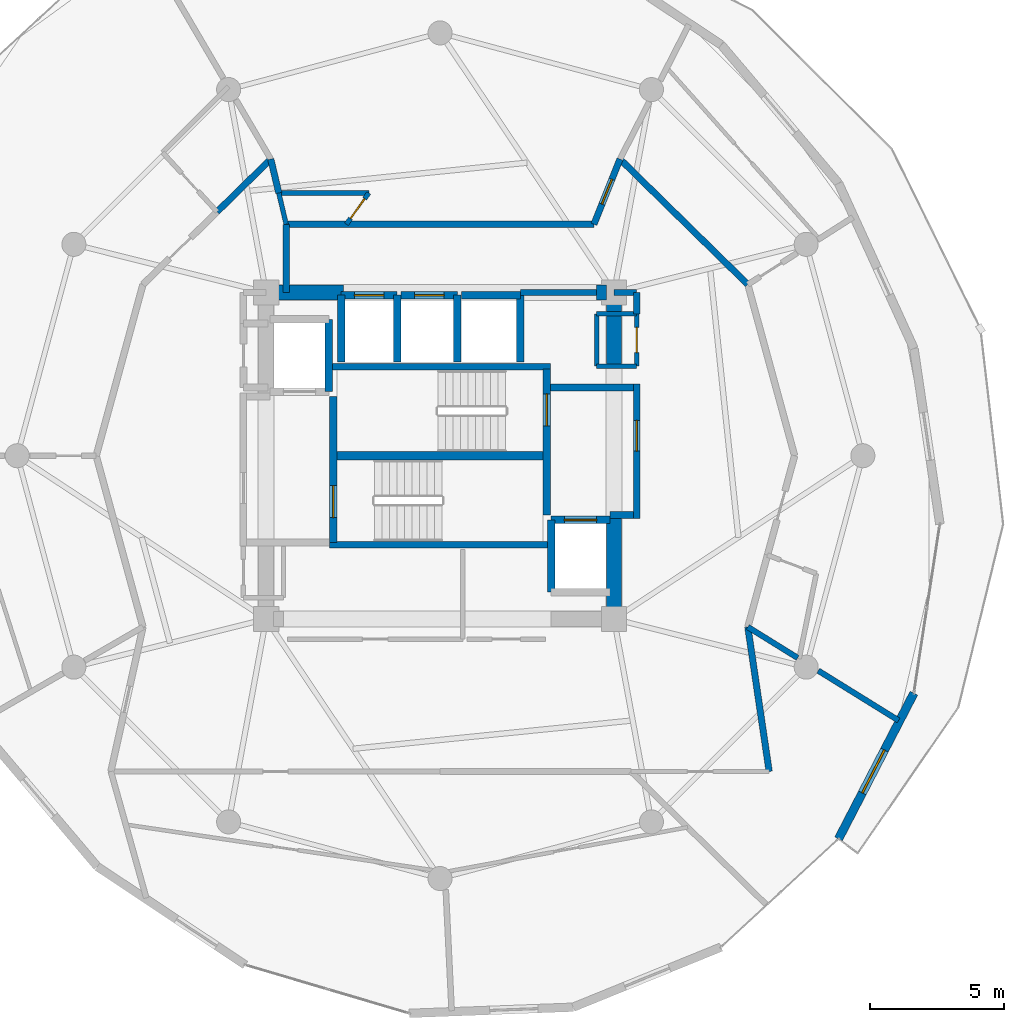
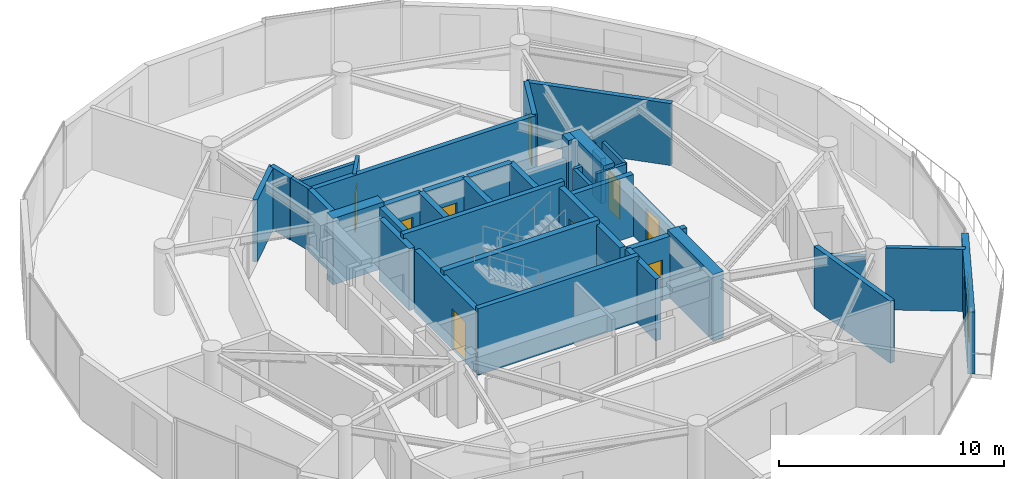
# One storey, part 20 of 24: 42 walls, 9 doors, 1 window, 10 openings.
"""IFC4 building model written with IfcOpenShell, lengths in metres."""

from ifc_helpers import new_model, si_unit, direction, frame, frame_2d, origin, place, context, subcontext, project, spatial, rectangle, extrude, material, layer, layer_set, type_object, element, fill, save


model = new_model("IFC4")

# Units and contexts
model_context = context("Model", 3, precision=1e-05, world=origin(), true_north=direction((0.0, 1.0)))
body_context = subcontext(model_context, "Body", "Model", "MODEL_VIEW")
ifc_project = project(units=[si_unit("LENGTHUNIT", "METRE"), si_unit("AREAUNIT", "SQUARE_METRE"), si_unit("VOLUMEUNIT", "CUBIC_METRE"), si_unit("PLANEANGLEUNIT", "RADIAN"), si_unit("MASSUNIT", "GRAM", prefix="KILO")], contexts=[model_context])

# Site, building, storey
site_placement = place(None, origin())
site = spatial("IfcSite", under=ifc_project, at=site_placement, CompositionType="ELEMENT")
building_placement = place(site_placement, origin())
building = spatial("IfcBuilding", under=site, at=building_placement, Name="Solvirekh Grand Hotel", CompositionType="ELEMENT")
storey_placement = place(building_placement, frame((0.0, 0.0, 184.0)))
storey = spatial("IfcBuildingStorey", under=building, at=storey_placement, Name="L47", CompositionType="ELEMENT", Elevation=184.0)

# Walls
ifc_material_1 = material(Name="Concrete C50/60", Category="concrete")
ifc_layer_1 = layer(ifc_material_1, 0.35009765625)
ifc_layer_set_1 = layer_set([ifc_layer_1], Name="Concrete C50/60")
wall_type_1 = type_object("IfcWallType", Name="CoreDivWall_RC350", PredefinedType="SOLIDWALL", material=ifc_layer_set_1)
for number, where, z_axis, x_axis, name in (
    (1, (-4.1298828125, -3.324951171875, 0.0), (0.0, 0.0, 1.0), (1.0, 0.0, 0.0), "L47 core stair box wall ST-S"),
    (2, (-4.1298828125, 3.324951171875, 0.0), (0.0, 0.0, 1.0), (1.0, 0.0, 0.0), "L47 core stair box wall ST-N"),
):
    element("IfcWall", number, at=place(storey_placement, frame(where, z_axis=z_axis, x_axis=x_axis)), inside=storey, type_object=wall_type_1, Name=name, PredefinedType="SOLIDWALL", context=body_context, shape_type="SweptSolid", body=[
        extrude(rectangle(XDim=8.259765625, YDim=0.25, at=frame_2d((4.1298828125, 0.0))), origin(), (0.0, 0.0, 1.0), 3.60009765625),
    ])

# Wall, opening, door
ifc_material_2 = material(Name="Concrete C40/50", Category="concrete")
ifc_layer_2 = layer(ifc_material_2, 0.280029296875)
ifc_layer_set_2 = layer_set([ifc_layer_2], Name="Concrete C40/50")
wall_type_2 = type_object("IfcWallType", Name="CoreShaftWall_RC280", PredefinedType="SOLIDWALL", material=ifc_layer_set_2)
wall_1_placement = place(storey_placement, frame((-1.60009765625, 6.0, 0.0), z_axis=(0.0, 0.0, 1.0), x_axis=(-1.0, 0.0, 0.0)))
wall_1 = element("IfcWall", 3, at=wall_1_placement, inside=storey, type_object=wall_type_2, Name="L47 HP-1 hoistway N wall", PredefinedType="SOLIDWALL", context=body_context, shape_type="SweptSolid", body=[
    extrude(rectangle(XDim=2.099853515625, YDim=0.280029296875, at=frame_2d((1.0498046875, 0.0))), origin(), (0.0, 0.0, 1.0), 3.360107421875),
])
opening_1_placement = place(wall_1_placement, frame((0.5, 0.0, 0.0)))
opening_1 = element("IfcOpeningElement", 4, at=opening_1_placement, cuts=wall_1, Name="Opening LD01", PredefinedType="OPENING", context=body_context, shape_type="SweptSolid", body=[
    extrude(rectangle(XDim=1.10009765625, YDim=2.199951171875, at=frame_2d((0.550048828125, 1.10009765625))), frame((0.0, 0.14990234375, 0.0), z_axis=(0.0, -1.0, 0.0), x_axis=(1.0, 0.0, 0.0)), (0.0, 0.0, 1.0), 0.300048828125),
])
ifc_material_3 = material(Name="Fire-Rated Steel Door Assembly", Category="steel")
door_type_1 = type_object("IfcDoorType", Name="Door_LiftLanding_1100X2200", OperationType="SLIDING_TO_LEFT", PredefinedType="DOOR", material=ifc_material_3)
door_1_placement = place(opening_1_placement, origin())
door_1 = element("IfcDoor", 5, at=door_1_placement, inside=storey, type_object=door_type_1, Name="L47 HP-1 sliding lift landing door", OperationType="SLIDING_TO_LEFT", OverallHeight=2.199951171875, OverallWidth=1.10009765625, PredefinedType="DOOR", context=body_context, shape_type="SweptSolid", body=[
    extrude(rectangle(XDim=1.10009765625, YDim=2.199951171875, at=frame_2d((0.550048828125, 1.10009765625))), frame((0.0, 0.02490234375, 0.0), z_axis=(0.0, -1.0, 0.0), x_axis=(1.0, 0.0, 0.0)), (0.0, 0.0, 1.0), 0.050048828125),
])
fill(opening_1, door_1)

# Walls
for number, where, z_axis, x_axis, name in (
    (6, (-3.699951171875, 6.0, 0.0), (0.0, 0.0, 1.0), (0.0, -1.0, 0.0), "L47 HP-1 hoistway W wall"),
    (7, (-1.60009765625, 3.5, 0.0), (0.0, 0.0, 1.0), (0.0, 1.0, 0.0), "L47 HP-1 hoistway E wall"),
):
    element("IfcWall", number, at=place(storey_placement, frame(where, z_axis=z_axis, x_axis=x_axis)), inside=storey, type_object=wall_type_2, Name=name, PredefinedType="SOLIDWALL", context=body_context, shape_type="SweptSolid", body=[
        extrude(rectangle(XDim=2.5, YDim=0.280029296875, at=frame_2d((1.25, 0.0))), origin(), (0.0, 0.0, 1.0), 3.360107421875),
    ])

# Wall, opening, door
wall_2_placement = place(storey_placement, frame((0.64990234375, 6.0, 0.0), z_axis=(0.0, 0.0, 1.0), x_axis=(-1.0, 0.0, 0.0)))
wall_2 = element("IfcWall", 8, at=wall_2_placement, inside=storey, type_object=wall_type_2, Name="L47 HP-2 hoistway N wall", PredefinedType="SOLIDWALL", context=body_context, shape_type="SweptSolid", body=[
    extrude(rectangle(XDim=2.099853515625, YDim=0.280029296875, at=frame_2d((1.0498046875, 0.0))), origin(), (0.0, 0.0, 1.0), 3.360107421875),
])
opening_2_placement = place(wall_2_placement, frame((0.5, 0.0, 0.0)))
opening_2 = element("IfcOpeningElement", 9, at=opening_2_placement, cuts=wall_2, Name="Opening LD01", PredefinedType="OPENING", context=body_context, shape_type="SweptSolid", body=[
    extrude(rectangle(XDim=1.10009765625, YDim=2.199951171875, at=frame_2d((0.550048828125, 1.10009765625))), frame((0.0, 0.14990234375, 0.0), z_axis=(0.0, -1.0, 0.0), x_axis=(1.0, 0.0, 0.0)), (0.0, 0.0, 1.0), 0.300048828125),
])
door_2_placement = place(opening_2_placement, origin())
door_2 = element("IfcDoor", 10, at=door_2_placement, inside=storey, type_object=door_type_1, Name="L47 HP-2 sliding lift landing door", OperationType="SLIDING_TO_LEFT", OverallHeight=2.199951171875, OverallWidth=1.10009765625, PredefinedType="DOOR", context=body_context, shape_type="SweptSolid", body=[
    extrude(rectangle(XDim=1.10009765625, YDim=2.199951171875, at=frame_2d((0.550048828125, 1.10009765625))), frame((0.0, 0.02490234375, 0.0), z_axis=(0.0, -1.0, 0.0), x_axis=(1.0, 0.0, 0.0)), (0.0, 0.0, 1.0), 0.050048828125),
])
fill(opening_2, door_2)

# Walls
wall_3_placement = place(storey_placement, frame((0.64990234375, 3.5, 0.0), z_axis=(0.0, 0.0, 1.0), x_axis=(0.0, 1.0, 0.0)))
element("IfcWall", 11, at=wall_3_placement, inside=storey, type_object=wall_type_2, Name="L47 HP-2 hoistway E wall", PredefinedType="SOLIDWALL", context=body_context, shape_type="SweptSolid", body=[
    extrude(rectangle(XDim=2.5, YDim=0.280029296875, at=frame_2d((1.25, 0.0))), origin(), (0.0, 0.0, 1.0), 3.360107421875),
])
wall_4_placement = place(storey_placement, frame((3.0, 6.0, 0.0), z_axis=(0.0, 0.0, 1.0), x_axis=(-1.0, 0.0, 0.0)))
element("IfcWall", 12, at=wall_4_placement, inside=storey, type_object=wall_type_2, Name="L47 EX-1 hoistway N wall", PredefinedType="SOLIDWALL", context=body_context, shape_type="SweptSolid", body=[
    extrude(rectangle(XDim=2.199951171875, YDim=0.280029296875, at=frame_2d((1.10009765625, 0.0))), origin(), (0.0, 0.0, 1.0), 3.360107421875),
])
wall_5_placement = place(storey_placement, frame((3.0, 3.5, 0.0), z_axis=(0.0, 0.0, 1.0), x_axis=(0.0, 1.0, 0.0)))
element("IfcWall", 13, at=wall_5_placement, inside=storey, type_object=wall_type_2, Name="L47 EX-1 hoistway E wall", PredefinedType="SOLIDWALL", context=body_context, shape_type="SweptSolid", body=[
    extrude(rectangle(XDim=2.5, YDim=0.280029296875, at=frame_2d((1.25, 0.0))), origin(), (0.0, 0.0, 1.0), 3.360107421875),
])
wall_6_placement = place(storey_placement, frame((-4.14990234375, 2.39990234375, 0.0), z_axis=(0.0, 0.0, 1.0), x_axis=(0.0, 1.0, 0.0)))
element("IfcWall", 14, at=wall_6_placement, inside=storey, type_object=wall_type_2, Name="L47 FL-1 hoistway E wall", PredefinedType="SOLIDWALL", context=body_context, shape_type="SweptSolid", body=[
    extrude(rectangle(XDim=2.7001953125, YDim=0.280029296875, at=frame_2d((1.35009765625, 0.0))), origin(), (0.0, 0.0, 1.0), 3.360107421875),
])

# Wall, opening, door
wall_7_placement = place(storey_placement, frame((6.35009765625, -2.39990234375, 0.0), z_axis=(0.0, 0.0, 1.0), x_axis=(-1.0, 0.0, 0.0)))
wall_7 = element("IfcWall", 15, at=wall_7_placement, inside=storey, type_object=wall_type_2, Name="L47 FL-2 hoistway N wall", PredefinedType="SOLIDWALL", context=body_context, shape_type="SweptSolid", body=[
    extrude(rectangle(XDim=2.2001953125, YDim=0.280029296875, at=frame_2d((1.10009765625, 0.0))), origin(), (0.0, 0.0, 1.0), 3.360107421875),
])
opening_3_placement = place(wall_7_placement, frame((0.5, 0.0, 0.0)))
opening_3 = element("IfcOpeningElement", 16, at=opening_3_placement, cuts=wall_7, Name="Opening LD02", PredefinedType="OPENING", context=body_context, shape_type="SweptSolid", body=[
    extrude(rectangle(XDim=1.199951171875, YDim=2.199951171875, at=frame_2d((0.60009765625, 1.10009765625))), frame((0.0, 0.14990234375, 0.0), z_axis=(0.0, -1.0, 0.0), x_axis=(1.0, 0.0, 0.0)), (0.0, 0.0, 1.0), 0.300048828125),
])
door_type_2 = type_object("IfcDoorType", Name="Door_LiftFF_1200X2200", OperationType="SLIDING_TO_LEFT", PredefinedType="DOOR", material=ifc_material_3)
door_3_placement = place(opening_3_placement, origin())
door_3 = element("IfcDoor", 17, at=door_3_placement, inside=storey, type_object=door_type_2, Name="L47 FL-2 sliding lift landing door", OperationType="SLIDING_TO_LEFT", OverallHeight=2.199951171875, OverallWidth=1.199951171875, PredefinedType="DOOR", context=body_context, shape_type="SweptSolid", body=[
    extrude(rectangle(XDim=1.199951171875, YDim=2.199951171875, at=frame_2d((0.60009765625, 1.10009765625))), frame((0.0, 0.02490234375, 0.0), z_axis=(0.0, -1.0, 0.0), x_axis=(1.0, 0.0, 0.0)), (0.0, 0.0, 1.0), 0.050048828125),
])
fill(opening_3, door_3)

# Wall
wall_8_placement = place(storey_placement, frame((4.14990234375, -2.39990234375, 0.0), z_axis=(0.0, 0.0, 1.0), x_axis=(0.0, -1.0, 0.0)))
element("IfcWall", 18, at=wall_8_placement, inside=storey, type_object=wall_type_2, Name="L47 FL-2 hoistway W wall", PredefinedType="SOLIDWALL", context=body_context, shape_type="SweptSolid", body=[
    extrude(rectangle(XDim=2.7001953125, YDim=0.280029296875, at=frame_2d((1.35009765625, 0.0))), origin(), (0.0, 0.0, 1.0), 3.360107421875),
])

# Wall, opening, door
wall_9_placement = place(storey_placement, frame((-3.989990234375, -3.25, 0.0), z_axis=(0.0, 0.0, 1.0), x_axis=(0.0, 1.0, 0.0)))
wall_9 = element("IfcWall", 19, at=wall_9_placement, inside=storey, type_object=wall_type_2, Name="L47 west stair landing enclosure wall", PredefinedType="SOLIDWALL", context=body_context, shape_type="SweptSolid", body=[
    extrude(rectangle(XDim=5.4599609375, YDim=0.280029296875, at=frame_2d((2.72998046875, 0.0))), origin(), (0.0, 0.0, 1.0), 3.360107421875),
])
opening_4_placement = place(wall_9_placement, frame((0.93701171875, 0.0, 0.0)))
opening_4 = element("IfcOpeningElement", 20, at=opening_4_placement, cuts=wall_9, Name="Opening D05", PredefinedType="OPENING", context=body_context, shape_type="SweptSolid", body=[
    extrude(rectangle(XDim=1.199951171875, YDim=2.199951171875, at=frame_2d((0.60009765625, 1.10009765625))), frame((0.0, 0.14990234375, 0.0), z_axis=(0.0, -1.0, 0.0), x_axis=(1.0, 0.0, 0.0)), (0.0, 0.0, 1.0), 0.300048828125),
])
door_type_3 = type_object("IfcDoorType", Name="Door_StairCore_1200X2200", OperationType="NOTDEFINED", PredefinedType="DOOR", material=ifc_material_3)
door_4_placement = place(opening_4_placement, origin())
door_4 = element("IfcDoor", 21, at=door_4_placement, inside=storey, type_object=door_type_3, Name="L47 exit stair ST-1 fire door", OperationType="SINGLE_SWING_RIGHT", OverallHeight=2.199951171875, OverallWidth=1.199951171875, PredefinedType="DOOR", context=body_context, shape_type="SweptSolid", body=[
    extrude(rectangle(XDim=1.199951171875, YDim=2.199951171875, at=frame_2d((0.60009765625, 1.10009765625))), frame((0.0, 0.02490234375, 0.0), z_axis=(0.0, -1.0, 0.0), x_axis=(1.0, 0.0, 0.0)), (0.0, 0.0, 1.0), 0.050048828125),
])
fill(opening_4, door_4)

wall_10_placement = place(storey_placement, frame((3.989990234375, -2.2099609375, 0.0), z_axis=(0.0, 0.0, 1.0), x_axis=(0.0, 1.0, 0.0)))
wall_10 = element("IfcWall", 22, at=wall_10_placement, inside=storey, type_object=wall_type_2, Name="L47 east stair landing enclosure wall", PredefinedType="SOLIDWALL", context=body_context, shape_type="SweptSolid", body=[
    extrude(rectangle(XDim=5.4599609375, YDim=0.280029296875, at=frame_2d((2.72998046875, 0.0))), origin(), (0.0, 0.0, 1.0), 3.360107421875),
])
opening_5_placement = place(wall_10_placement, frame((3.322998046875, 0.0, 0.0)))
opening_5 = element("IfcOpeningElement", 23, at=opening_5_placement, cuts=wall_10, Name="Opening D05", PredefinedType="OPENING", context=body_context, shape_type="SweptSolid", body=[
    extrude(rectangle(XDim=1.199951171875, YDim=2.199951171875, at=frame_2d((0.60009765625, 1.10009765625))), frame((0.0, 0.14990234375, 0.0), z_axis=(0.0, -1.0, 0.0), x_axis=(1.0, 0.0, 0.0)), (0.0, 0.0, 1.0), 0.300048828125),
])
door_5_placement = place(opening_5_placement, origin())
door_5 = element("IfcDoor", 24, at=door_5_placement, inside=storey, type_object=door_type_3, Name="L47 exit stair ST-2 fire door", OperationType="SINGLE_SWING_LEFT", OverallHeight=2.199951171875, OverallWidth=1.199951171875, PredefinedType="DOOR", context=body_context, shape_type="SweptSolid", body=[
    extrude(rectangle(XDim=1.199951171875, YDim=2.199951171875, at=frame_2d((0.60009765625, 1.10009765625))), frame((0.0, 0.02490234375, 0.0), z_axis=(0.0, -1.0, 0.0), x_axis=(1.0, 0.0, 0.0)), (0.0, 0.0, 1.0), 0.050048828125),
])
fill(opening_5, door_5)

# Walls
ifc_layer_3 = layer(ifc_material_1, 0.550048828125)
ifc_layer_set_3 = layer_set([ifc_layer_3], Name="Concrete C50/60")
wall_type_3 = type_object("IfcWallType", Name="CoreWall_RC550", PredefinedType="SHEAR", material=ifc_layer_set_3)
wall_11_placement = place(storey_placement, frame((-3.989990234375, 0.0, 0.0), z_axis=(0.0, 0.0, 1.0), x_axis=(1.0, 0.0, 0.0)))
element("IfcWall", 25, at=wall_11_placement, inside=storey, type_object=wall_type_3, Name="L47 central stair-spine shear wall", PredefinedType="SHEAR", context=body_context, shape_type="SweptSolid", body=[
    extrude(rectangle(XDim=7.97998046875, YDim=0.300048828125, at=frame_2d((3.989990234375, 0.0))), origin(), (0.0, 0.0, 1.0), 3.60009765625),
])
wall_12_placement = place(storey_placement, frame((-6.22509765625, 6.10009765625, 0.0), z_axis=(0.0, 0.0, 1.0), x_axis=(1.0, 0.0, 0.0)))
element("IfcWall", 26, at=wall_12_placement, inside=storey, type_object=wall_type_3, Name="L47 core corner shear wall NW-N", PredefinedType="SHEAR", context=body_context, shape_type="SweptSolid", body=[
    extrude(rectangle(XDim=2.625, YDim=0.550048828125, at=frame_2d((1.3125, 0.0))), origin(), (0.0, 0.0, 1.0), 3.60009765625),
])
wall_13_placement = place(storey_placement, frame((5.85009765625, 6.10009765625, 0.0), z_axis=(0.0, 0.0, 1.0), x_axis=(1.0, 0.0, 0.0)))
element("IfcWall", 27, at=wall_13_placement, inside=storey, type_object=wall_type_3, Name="L47 core corner shear wall NE-N", PredefinedType="SHEAR", context=body_context, shape_type="SweptSolid", body=[
    extrude(rectangle(XDim=0.375, YDim=0.550048828125, at=frame_2d((0.1875, 0.0))), origin(), (0.0, 0.0, 1.0), 3.60009765625),
])
wall_14_placement = place(storey_placement, frame((6.5, -6.375, 0.0), z_axis=(0.0, 0.0, 1.0), x_axis=(0.0, 1.0, 0.0)))
element("IfcWall", 28, at=wall_14_placement, inside=storey, type_object=wall_type_3, Name="L47 core corner shear wall ES-E", PredefinedType="SHEAR", context=body_context, shape_type="SweptSolid", body=[
    extrude(rectangle(XDim=4.02490234375, YDim=0.550048828125, at=frame_2d((2.012451171875, 0.0))), origin(), (0.0, 0.0, 1.0), 3.60009765625),
])
wall_15_placement = place(storey_placement, frame((6.5, 3.35009765625, 0.0), z_axis=(0.0, 0.0, 1.0), x_axis=(0.0, 1.0, 0.0)))
element("IfcWall", 29, at=wall_15_placement, inside=storey, type_object=wall_type_3, Name="L47 core corner shear wall EN-E", PredefinedType="SHEAR", context=body_context, shape_type="SweptSolid", body=[
    extrude(rectangle(XDim=3.02490234375, YDim=0.550048828125, at=frame_2d((1.512451171875, 0.0))), origin(), (0.0, 0.0, 1.0), 3.60009765625),
])

# Wall, opening, window
ifc_material_4 = material(Name="Precast concrete C45/55", Category="concrete")
ifc_layer_4 = layer(ifc_material_4, 0.320068359375)
ifc_layer_set_4 = layer_set([ifc_layer_4], Name="Precast concrete C45/55")
wall_type_4 = type_object("IfcWallType", Name="ExtLobbyWall_RC320", PredefinedType="SOLIDWALL", material=ifc_layer_set_4)
wall_16_placement = place(storey_placement, frame((17.7080078125, -8.873046875, 0.0), z_axis=(0.0, 0.0, 1.0), x_axis=(-0.459419669187, -0.888219324021, 0.0)))
wall_16 = element("IfcWall", 30, at=wall_16_placement, inside=storey, type_object=wall_type_4, Name="L47 exterior structural wall chord 2", PredefinedType="SOLIDWALL", context=body_context, shape_type="SweptSolid", body=[
    extrude(rectangle(XDim=6.13134765625, YDim=0.320068359375, at=frame_2d((3.065673828125, 0.0))), origin(), (0.0, 0.0, 1.0), 3.360107421875),
])
opening_6_placement = place(wall_16_placement, frame((2.39501953125, 0.0, 0.35009765625)))
opening_6 = element("IfcOpeningElement", 31, at=opening_6_placement, cuts=wall_16, Name="Opening W02", PredefinedType="OPENING", context=body_context, shape_type="SweptSolid", body=[
    extrude(rectangle(XDim=1.800048828125, YDim=2.60009765625, at=frame_2d((0.89990234375, 1.300048828125))), frame((0.0, 0.169921875, 0.0), z_axis=(0.0, -1.0, 0.0), x_axis=(1.0, 0.0, 0.0)), (0.0, 0.0, 1.0), 0.340087890625),
])
ifc_material_5 = material(Name="Low-E Tinted Bronze Laminated Glass", Category="aluminium")
window_type = type_object("IfcWindowType", Name="Win_LobbyExt_1800X2600", PartitioningType="SINGLE_PANEL", PredefinedType="WINDOW", material=ifc_material_5)
window_placement = place(opening_6_placement, origin())
window = element("IfcWindow", 32, at=window_placement, inside=storey, type_object=window_type, Name="L47 panoramic bronze-framed window 2", OverallHeight=2.60009765625, OverallWidth=1.800048828125, PartitioningType="SINGLE_PANEL", PredefinedType="WINDOW", context=body_context, shape_type="SweptSolid", body=[
    extrude(rectangle(XDim=1.800048828125, YDim=2.60009765625, at=frame_2d((0.89990234375, 1.300048828125))), frame((0.0, 0.030029296875, 0.0), z_axis=(0.0, -1.0, 0.0), x_axis=(1.0, 0.0, 0.0)), (0.0, 0.0, 1.0), 0.06005859375),
])
fill(opening_6, window)

# Wall
ifc_material_6 = material(Name="Acoustic Gypsum Partition Assembly")
ifc_layer_5 = layer(ifc_material_6, 0.1650390625)
ifc_layer_set_5 = layer_set([ifc_layer_5], Name="Acoustic Gypsum Partition Assembly")
wall_type_5 = type_object("IfcWallType", Name="Part_BOH_165", PredefinedType="PARTITIONING", material=ifc_layer_set_5)
wall_17_placement = place(storey_placement, frame((5.85009765625, 3.35009765625, 0.0), z_axis=(0.0, 0.0, 1.0), x_axis=(1.0, 0.0, 0.0)))
element("IfcWall", 33, at=wall_17_placement, inside=storey, type_object=wall_type_5, Name="L47 L47 Core Housekeeping Room wall 1", PredefinedType="PARTITIONING", context=body_context, shape_type="SweptSolid", body=[
    extrude(rectangle(XDim=1.5, YDim=0.1650390625, at=frame_2d((0.75, 0.0))), origin(), (0.0, 0.0, 1.0), 3.360107421875),
])

# Wall, opening, door
wall_18_placement = place(storey_placement, frame((7.35009765625, 3.35009765625, 0.0), z_axis=(0.0, 0.0, 1.0), x_axis=(0.0, 1.0, 0.0)))
wall_18 = element("IfcWall", 34, at=wall_18_placement, inside=storey, type_object=wall_type_5, Name="L47 L47 Core Housekeeping Room wall 2", PredefinedType="PARTITIONING", context=body_context, shape_type="SweptSolid", body=[
    extrude(rectangle(XDim=1.949951171875, YDim=0.1650390625, at=frame_2d((0.97509765625, 0.0))), origin(), (0.0, 0.0, 1.0), 3.360107421875),
])
opening_7_placement = place(wall_18_placement, frame((0.5, 0.0, 0.0)))
opening_7 = element("IfcOpeningElement", 35, at=opening_7_placement, cuts=wall_18, Name="Opening D10", PredefinedType="OPENING", context=body_context, shape_type="SweptSolid", body=[
    extrude(rectangle(XDim=0.949951171875, YDim=2.10009765625, at=frame_2d((0.47509765625, 1.050048828125))), frame((0.0, 0.092529296875, 0.0), z_axis=(0.0, -1.0, 0.0), x_axis=(1.0, 0.0, 0.0)), (0.0, 0.0, 1.0), 0.18505859375),
])
ifc_material_7 = material(Name="Anodized Bronze Aluminium 6063-T6", Category="aluminium")
door_type_4 = type_object("IfcDoorType", Name="Door_RoomInt_950X2100", OperationType="NOTDEFINED", PredefinedType="DOOR", material=ifc_material_7)
door_6_placement = place(opening_7_placement, origin())
door_6 = element("IfcDoor", 36, at=door_6_placement, inside=storey, type_object=door_type_4, Name="L47 L47 Core Housekeeping Room door", OperationType="SINGLE_SWING_RIGHT", OverallHeight=2.10009765625, OverallWidth=0.949951171875, PredefinedType="DOOR", context=body_context, shape_type="SweptSolid", body=[
    extrude(rectangle(XDim=0.949951171875, YDim=2.10009765625, at=frame_2d((0.47509765625, 1.050048828125))), frame((0.0, 0.02490234375, 0.0), z_axis=(0.0, -1.0, 0.0), x_axis=(1.0, 0.0, 0.0)), (0.0, 0.0, 1.0), 0.050048828125),
])
fill(opening_7, door_6)

# Walls
wall_19_placement = place(storey_placement, frame((7.35009765625, 5.300048828125, 0.0), z_axis=(0.0, 0.0, 1.0), x_axis=(-1.0, 0.0, 0.0)))
element("IfcWall", 37, at=wall_19_placement, inside=storey, type_object=wall_type_5, Name="L47 L47 Core Housekeeping Room wall 3", PredefinedType="PARTITIONING", context=body_context, shape_type="SweptSolid", body=[
    extrude(rectangle(XDim=1.5, YDim=0.1650390625, at=frame_2d((0.75, 0.0))), origin(), (0.0, 0.0, 1.0), 2.445068359375),
])
wall_20_placement = place(storey_placement, frame((5.85009765625, 5.300048828125, 0.0), z_axis=(0.0, 0.0, 1.0), x_axis=(0.0, -1.0, 0.0)))
element("IfcWall", 38, at=wall_20_placement, inside=storey, type_object=wall_type_5, Name="L47 L47 Core Housekeeping Room wall 4", PredefinedType="PARTITIONING", context=body_context, shape_type="SweptSolid", body=[
    extrude(rectangle(XDim=1.949951171875, YDim=0.1650390625, at=frame_2d((0.97509765625, 0.0))), origin(), (0.0, 0.0, 1.0), 2.445068359375),
])

# Wall, opening, door
ifc_layer_6 = layer(ifc_material_6, 0.239990234375)
ifc_layer_set_6 = layer_set([ifc_layer_6], Name="Acoustic Gypsum Partition Assembly")
wall_type_6 = type_object("IfcWallType", Name="Part_Corridor_240", PredefinedType="PARTITIONING", material=ifc_layer_set_6)
wall_21_placement = place(storey_placement, frame((7.35009765625, -2.340087890625, 0.0), z_axis=(0.0, 0.0, 1.0), x_axis=(0.0, 1.0, 0.0)))
wall_21 = element("IfcWall", 39, at=wall_21_placement, inside=storey, type_object=wall_type_6, Name="L47 east firefighting lobby smoke screen wall", PredefinedType="PARTITIONING", context=body_context, shape_type="SweptSolid", body=[
    extrude(rectangle(XDim=5.02001953125, YDim=0.239990234375, at=frame_2d((2.510009765625, 0.0))), origin(), (0.0, 0.0, 1.0), 2.445068359375),
])
opening_8_placement = place(wall_21_placement, frame((2.514892578125, 0.0, 0.0)))
opening_8 = element("IfcOpeningElement", 40, at=opening_8_placement, cuts=wall_21, Name="Opening D06", PredefinedType="OPENING", context=body_context, shape_type="SweptSolid", body=[
    extrude(rectangle(XDim=1.14990234375, YDim=2.199951171875, at=frame_2d((0.574951171875, 1.10009765625))), frame((0.0, 0.1298828125, 0.0), z_axis=(0.0, -1.0, 0.0), x_axis=(1.0, 0.0, 0.0)), (0.0, 0.0, 1.0), 0.260009765625),
])
door_type_5 = type_object("IfcDoorType", Name="Door_FFLobby_1150X2200", OperationType="NOTDEFINED", PredefinedType="DOOR", material=ifc_material_3)
door_7_placement = place(opening_8_placement, origin())
door_7 = element("IfcDoor", 41, at=door_7_placement, inside=storey, type_object=door_type_5, Name="L47 east firefighting lobby smoke door", OperationType="SINGLE_SWING_LEFT", OverallHeight=2.199951171875, OverallWidth=1.14990234375, PredefinedType="DOOR", context=body_context, shape_type="SweptSolid", body=[
    extrude(rectangle(XDim=1.14990234375, YDim=2.199951171875, at=frame_2d((0.574951171875, 1.10009765625))), frame((0.0, 0.02490234375, 0.0), z_axis=(0.0, -1.0, 0.0), x_axis=(1.0, 0.0, 0.0)), (0.0, 0.0, 1.0), 0.050048828125),
])
fill(opening_8, door_7)

# Walls
wall_22_placement = place(storey_placement, frame((-5.75, 8.64990234375, 0.0), z_axis=(0.0, 0.0, 1.0), x_axis=(1.0, 0.0, 0.0)))
element("IfcWall", 42, at=wall_22_placement, inside=storey, type_object=wall_type_6, Name="L47 north lift lobby enclosure wall", PredefinedType="PARTITIONING", context=body_context, shape_type="SweptSolid", body=[
    extrude(rectangle(XDim=11.5, YDim=0.239990234375, at=frame_2d((5.75, 0.0))), origin(), (0.0, 0.0, 1.0), 3.360107421875),
])
wall_23_placement = place(storey_placement, frame((3.0, 6.10009765625, 0.0), z_axis=(0.0, 0.0, 1.0), x_axis=(1.0, 0.0, 0.0)))
element("IfcWall", 43, at=wall_23_placement, inside=storey, type_object=wall_type_6, Name="L47 north core shaft infill wall", PredefinedType="PARTITIONING", context=body_context, shape_type="SweptSolid", body=[
    extrude(rectangle(XDim=2.85009765625, YDim=0.239990234375, at=frame_2d((1.425048828125, 0.0))), origin(), (0.0, 0.0, 1.0), 2.445068359375),
])
wall_24_placement = place(storey_placement, frame((7.35009765625, 5.300048828125, 0.0), z_axis=(0.0, 0.0, 1.0), x_axis=(0.0, 1.0, 0.0)))
element("IfcWall", 44, at=wall_24_placement, inside=storey, type_object=wall_type_6, Name="L47 NE core cheek closure wall", PredefinedType="PARTITIONING", context=body_context, shape_type="SweptSolid", body=[
    extrude(rectangle(XDim=0.800048828125, YDim=0.239990234375, at=frame_2d((0.39990234375, 0.0))), origin(), (0.0, 0.0, 1.0), 2.445068359375),
])
wall_25_placement = place(storey_placement, frame((6.5, 6.10009765625, 0.0), z_axis=(0.0, 0.0, 1.0), x_axis=(1.0, 0.0, 0.0)))
element("IfcWall", 45, at=wall_25_placement, inside=storey, type_object=wall_type_6, Name="L47 NE core corner tie wall", PredefinedType="PARTITIONING", context=body_context, shape_type="SweptSolid", body=[
    extrude(rectangle(XDim=0.85009765625, YDim=0.239990234375, at=frame_2d((0.425048828125, 0.0))), origin(), (0.0, 0.0, 1.0), 2.876953125),
])
wall_26_placement = place(storey_placement, frame((-5.75, 6.10009765625, 0.0), z_axis=(0.0, 0.0, 1.0), x_axis=(0.0, 1.0, 0.0)))
element("IfcWall", 46, at=wall_26_placement, inside=storey, type_object=wall_type_6, Name="L47 north lift lobby west wall", PredefinedType="PARTITIONING", context=body_context, shape_type="SweptSolid", body=[
    extrude(rectangle(XDim=2.5498046875, YDim=0.239990234375, at=frame_2d((1.27490234375, 0.0))), origin(), (0.0, 0.0, 1.0), 3.360107421875),
])
wall_27_placement = place(storey_placement, frame((-6.02587890625, 9.819091796875, 0.0), z_axis=(0.0, 0.0, 1.0), x_axis=(-0.229928489857, 0.973207526457, 0.0)))
element("IfcWall", 47, at=wall_27_placement, inside=storey, type_object=wall_type_6, Name="L47 Panorama Suite 4901 corridor wall 1", PredefinedType="PARTITIONING", context=body_context, shape_type="SweptSolid", body=[
    extrude(rectangle(XDim=1.30078125, YDim=0.239990234375, at=frame_2d((0.650390625, 0.0))), origin(), (0.0, 0.0, 1.0), 3.360107421875),
])

# Wall, opening, door
wall_28_placement = place(storey_placement, frame((5.75, 8.64990234375, 0.0), z_axis=(0.0, 0.0, 1.0), x_axis=(0.371743694646, 0.928335405708, 0.0)))
wall_28 = element("IfcWall", 48, at=wall_28_placement, inside=storey, type_object=wall_type_6, Name="L47 Panorama Suite 4901 entrance wall", PredefinedType="PARTITIONING", context=body_context, shape_type="SweptSolid", body=[
    extrude(rectangle(XDim=2.623046875, YDim=0.239990234375, at=frame_2d((1.3115234375, 0.0))), origin(), (0.0, 0.0, 1.0), 3.360107421875),
])
opening_9_placement = place(wall_28_placement, frame((0.81103515625, 0.0, 0.0)))
opening_9 = element("IfcOpeningElement", 49, at=opening_9_placement, cuts=wall_28, Name="Opening D07", PredefinedType="OPENING", context=body_context, shape_type="SweptSolid", body=[
    extrude(rectangle(XDim=1.0, YDim=2.199951171875, at=frame_2d((0.5, 1.10009765625))), frame((0.0, 0.1298828125, 0.0), z_axis=(0.0, -1.0, 0.0), x_axis=(1.0, 0.0, 0.0)), (0.0, 0.0, 1.0), 0.260009765625),
])
door_type_6 = type_object("IfcDoorType", Name="Door_GuestEntry_1000X2200", OperationType="NOTDEFINED", PredefinedType="DOOR", material=ifc_material_3)
door_8_placement = place(opening_9_placement, origin())
door_8 = element("IfcDoor", 50, at=door_8_placement, inside=storey, type_object=door_type_6, Name="L47 Panorama Suite 4901 entrance door", OperationType="SINGLE_SWING_RIGHT", OverallHeight=2.199951171875, OverallWidth=1.0, PredefinedType="DOOR", context=body_context, shape_type="SweptSolid", body=[
    extrude(rectangle(XDim=1.0, YDim=2.199951171875, at=frame_2d((0.5, 1.10009765625))), frame((0.0, 0.02490234375, 0.0), z_axis=(0.0, -1.0, 0.0), x_axis=(1.0, 0.0, 0.0)), (0.0, 0.0, 1.0), 0.050048828125),
])
fill(opening_9, door_8)

# Walls
wall_29_placement = place(storey_placement, frame((-6.324951171875, 11.0849609375, 0.0), z_axis=(0.0, 0.0, 1.0), x_axis=(-0.713850549357, -0.700298074524, 0.0)))
element("IfcWall", 51, at=wall_29_placement, inside=storey, type_object=wall_type_6, Name="L47 En-suite Bathroom 4902 corridor backing wall", PredefinedType="PARTITIONING", context=body_context, shape_type="SweptSolid", body=[
    extrude(rectangle(XDim=2.810302734375, YDim=0.239990234375, at=frame_2d((1.4052734375, 0.0))), origin(), (0.0, 0.0, 1.0), 3.360107421875),
])
wall_30_placement = place(storey_placement, frame((11.501953125, 6.39990234375, 0.0), z_axis=(0.0, 0.0, 1.0), x_axis=(-0.713933337596, 0.700213674152, 0.0)))
element("IfcWall", 52, at=wall_30_placement, inside=storey, type_object=wall_type_6, Name="L47 Diplomatic Suite 4903 Suite Foyer corridor enclosure wall", PredefinedType="PARTITIONING", context=body_context, shape_type="SweptSolid", body=[
    extrude(rectangle(XDim=6.69091796875, YDim=0.239990234375, at=frame_2d((3.345458984375, 0.0))), origin(), (0.0, 0.0, 1.0), 3.360107421875),
])
wall_31_placement = place(storey_placement, frame((12.300048828125, -11.800048828125, 0.0), z_axis=(0.0, 0.0, 1.0), x_axis=(-0.146203405363, 0.98925454978, 0.0)))
element("IfcWall", 53, at=wall_31_placement, inside=storey, type_object=wall_type_6, Name="L47 L47 Butler Valet & Linen Steward Room corridor wall 1", PredefinedType="PARTITIONING", context=body_context, shape_type="SweptSolid", body=[
    extrude(rectangle(XDim=5.458740234375, YDim=0.239990234375, at=frame_2d((2.7294921875, 0.0))), origin(), (0.0, 0.0, 1.0), 3.360107421875),
])
ifc_layer_7 = layer(ifc_material_6, 0.260009765625)
ifc_layer_set_7 = layer_set([ifc_layer_7], Name="Acoustic Gypsum Partition Assembly")
wall_type_7 = type_object("IfcWallType", Name="Part_LobbyFF_260", PredefinedType="PARTITIONING", material=ifc_layer_set_7)
wall_32_placement = place(storey_placement, frame((6.35009765625, -2.2099609375, 0.0), z_axis=(0.0, 0.0, 1.0), x_axis=(1.0, 0.0, 0.0)))
element("IfcWall", 54, at=wall_32_placement, inside=storey, type_object=wall_type_7, Name="L47 east firefighting lobby SE cheek", PredefinedType="PARTITIONING", context=body_context, shape_type="SweptSolid", body=[
    extrude(rectangle(XDim=0.875, YDim=0.260009765625, at=frame_2d((0.4375, 0.0))), origin(), (0.0, 0.0, 1.0), 3.360107421875),
])
wall_33_placement = place(storey_placement, frame((4.1298828125, 2.550048828125, 0.0), z_axis=(0.0, 0.0, 1.0), x_axis=(1.0, 0.0, 0.0)))
element("IfcWall", 55, at=wall_33_placement, inside=storey, type_object=wall_type_7, Name="L47 east firefighting lobby north partition", PredefinedType="PARTITIONING", context=body_context, shape_type="SweptSolid", body=[
    extrude(rectangle(XDim=3.09521484375, YDim=0.260009765625, at=frame_2d((1.547607421875, 0.0))), origin(), (0.0, 0.0, 1.0), 3.360107421875),
])
ifc_layer_8 = layer(ifc_material_6, 0.2099609375)
ifc_layer_set_8 = layer_set([ifc_layer_8], Name="Acoustic Gypsum Partition Assembly")
wall_type_8 = type_object("IfcWallType", Name="Part_SuiteDemise_210", PredefinedType="PARTITIONING", material=ifc_layer_set_8)
wall_34_placement = place(storey_placement, frame((11.501953125, -6.39990234375, 0.0), z_axis=(0.0, 0.0, 1.0), x_axis=(0.849789901528, -0.527121545054, 0.0)))
element("IfcWall", 56, at=wall_34_placement, inside=storey, type_object=wall_type_8, Name="L47 suite radial wall 12 (A)", PredefinedType="PARTITIONING", context=body_context, shape_type="SweptSolid", body=[
    extrude(rectangle(XDim=2.191162109375, YDim=0.2099609375, at=frame_2d((1.095703125, 0.0))), origin(), (0.0, 0.0, 1.0), 2.876953125),
])
wall_35_placement = place(storey_placement, frame((14.134033203125, -8.031982421875, 0.0), z_axis=(0.0, 0.0, 1.0), x_axis=(0.849841998218, -0.527037549009, 0.0)))
element("IfcWall", 57, at=wall_35_placement, inside=storey, type_object=wall_type_8, Name="L47 suite radial wall 12 (B)", PredefinedType="PARTITIONING", context=body_context, shape_type="SweptSolid", body=[
    extrude(rectangle(XDim=3.53125, YDim=0.2099609375, at=frame_2d((1.765625, 0.0))), origin(), (0.0, 0.0, 1.0), 3.360107421875),
])
ifc_layer_9 = layer(ifc_material_6, 0.175048828125)
ifc_layer_set_9 = layer_set([ifc_layer_9], Name="Acoustic Gypsum Partition Assembly")
wall_type_9 = type_object("IfcWallType", Name="Plumb_Ensuite_175", PredefinedType="PLUMBINGWALL", material=ifc_layer_set_9)
wall_36_placement = place(storey_placement, frame((-6.02587890625, 9.819091796875, 0.0), z_axis=(0.0, 0.0, 1.0), x_axis=(1.0, 0.0, 0.0)))
element("IfcWall", 58, at=wall_36_placement, inside=storey, type_object=wall_type_9, Name="L47 En-suite Bathroom 4901 outer plumbing wall", PredefinedType="PLUMBINGWALL", context=body_context, shape_type="SweptSolid", body=[
    extrude(rectangle(XDim=3.36181640625, YDim=0.175048828125, at=frame_2d((1.680908203125, 0.0))), origin(), (0.0, 0.0, 1.0), 3.04296875),
])
wall_37_placement = place(storey_placement, frame((-6.02587890625, 9.819091796875, 0.0), z_axis=(0.0, 0.0, 1.0), x_axis=(0.229650980365, -0.973273048644, 0.0)))
element("IfcWall", 59, at=wall_37_placement, inside=storey, type_object=wall_type_9, Name="L47 En-suite Bathroom 4901 side plumbing wall", PredefinedType="PLUMBINGWALL", context=body_context, shape_type="SweptSolid", body=[
    extrude(rectangle(XDim=1.201416015625, YDim=0.175048828125, at=frame_2d((0.6005859375, 0.0))), origin(), (0.0, 0.0, 1.0), 3.360107421875),
])

# Wall, opening, door
wall_38_placement = place(storey_placement, frame((-3.5, 8.64990234375, 0.0), z_axis=(0.0, 0.0, 1.0), x_axis=(0.581607698531, 0.813469412461, 0.0)))
wall_38 = element("IfcWall", 60, at=wall_38_placement, inside=storey, type_object=wall_type_9, Name="L47 En-suite Bathroom 4901 entry plumbing wall", PredefinedType="PLUMBINGWALL", context=body_context, shape_type="SweptSolid", body=[
    extrude(rectangle(XDim=1.437255859375, YDim=0.175048828125, at=frame_2d((0.71875, 0.0))), origin(), (0.0, 0.0, 1.0), 3.360107421875),
])
opening_10_placement = place(wall_38_placement, frame((0.26904296875, 0.0, 0.0)))
opening_10 = element("IfcOpeningElement", 61, at=opening_10_placement, cuts=wall_38, Name="Opening D09", PredefinedType="OPENING", context=body_context, shape_type="SweptSolid", body=[
    extrude(rectangle(XDim=0.89990234375, YDim=2.10009765625, at=frame_2d((0.449951171875, 1.050048828125))), frame((0.0, 0.09765625, 0.0), z_axis=(0.0, -1.0, 0.0), x_axis=(1.0, 0.0, 0.0)), (0.0, 0.0, 1.0), 0.195068359375),
])
door_type_7 = type_object("IfcDoorType", Name="Door_Ensuite_900X2100", OperationType="NOTDEFINED", PredefinedType="DOOR", material=ifc_material_7)
door_9_placement = place(opening_10_placement, origin())
door_9 = element("IfcDoor", 62, at=door_9_placement, inside=storey, type_object=door_type_7, Name="L47 En-suite Bathroom 4901 door", OperationType="SINGLE_SWING_LEFT", OverallHeight=2.10009765625, OverallWidth=0.89990234375, PredefinedType="DOOR", context=body_context, shape_type="SweptSolid", body=[
    extrude(rectangle(XDim=0.89990234375, YDim=2.10009765625, at=frame_2d((0.449951171875, 1.050048828125))), frame((0.0, 0.02490234375, 0.0), z_axis=(0.0, -1.0, 0.0), x_axis=(1.0, 0.0, 0.0)), (0.0, 0.0, 1.0), 0.050048828125),
])
fill(opening_10, door_9)

save(model, "model.ifc")
